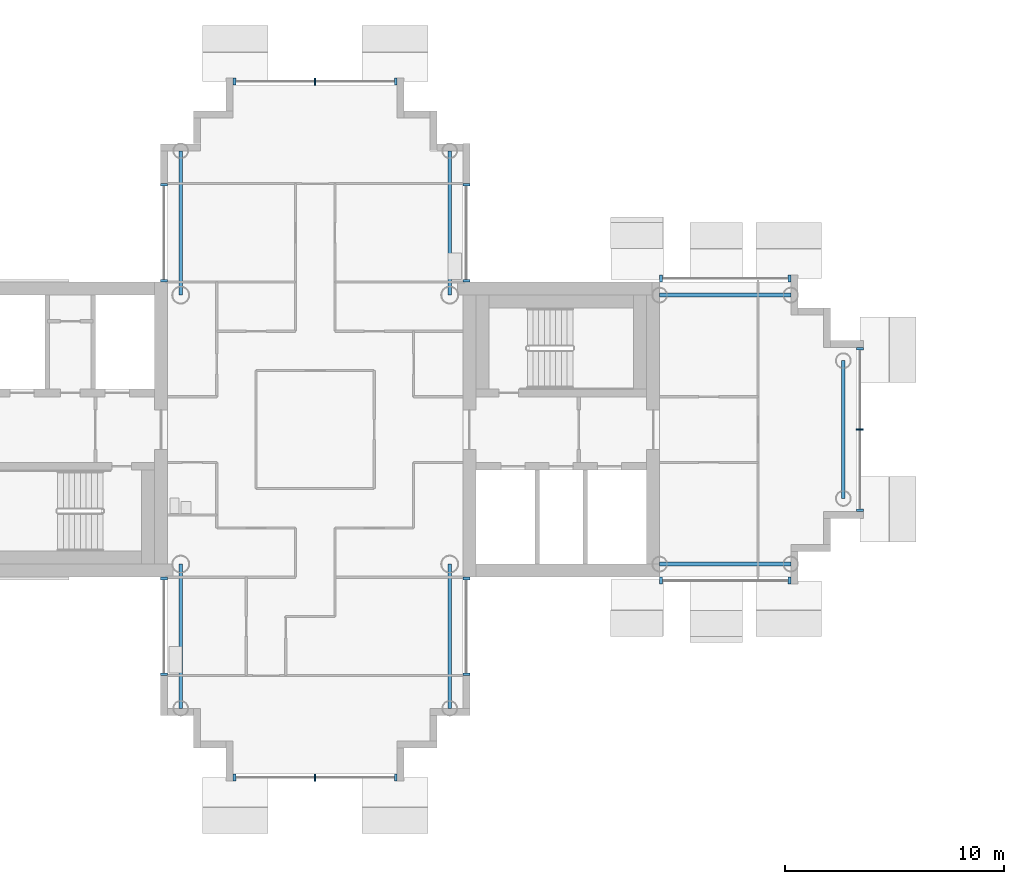
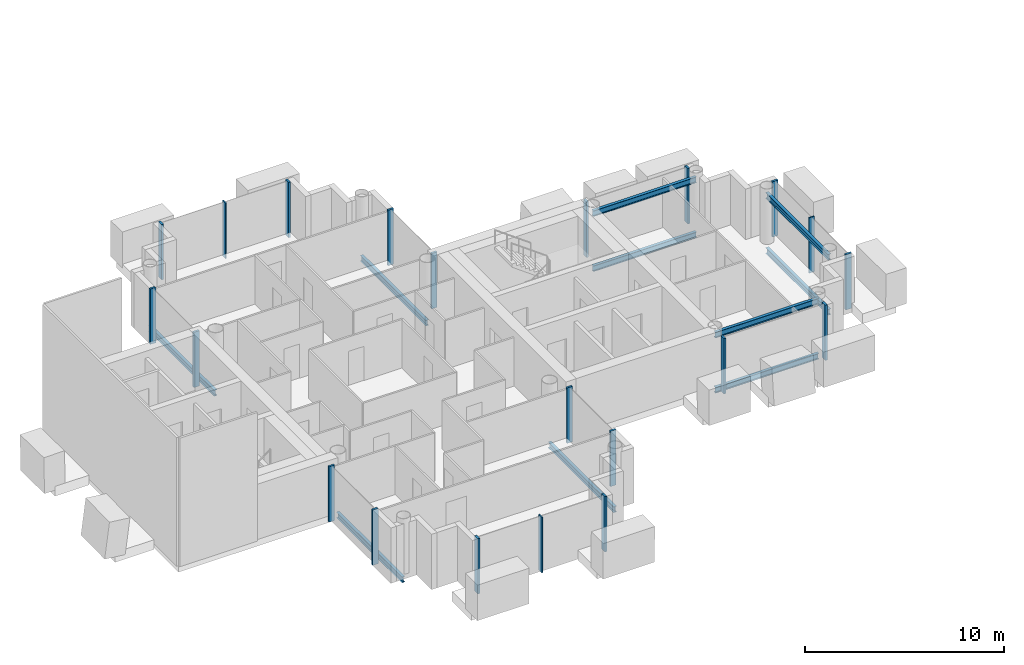
# One storey, part 3 of 18: 21 members, 10 beams, 9 elements without a shape of their own.
"""IFC4 building model written with IfcOpenShell, lengths in metres."""

from ifc_helpers import new_model, si_unit, direction, frame, origin, origin_2d, place, context, subcontext, project, spatial, rectangle, i_section, extrude, material, layer, layer_set, material_profile, profile_set, type_object, element, aggregate, save


model = new_model("IFC4")

# Units and contexts
model_context = context("Model", 3, precision=1e-05, world=origin(), true_north=direction((0.0, 1.0)))
body_context = subcontext(model_context, "Body", "Model", "MODEL_VIEW")
ifc_project = project(units=[si_unit("LENGTHUNIT", "METRE"), si_unit("AREAUNIT", "SQUARE_METRE"), si_unit("VOLUMEUNIT", "CUBIC_METRE"), si_unit("PLANEANGLEUNIT", "RADIAN"), si_unit("MASSUNIT", "GRAM", prefix="KILO")], contexts=[model_context])

# Site, building, storey
site_placement = place(None, origin())
site = spatial("IfcSite", under=ifc_project, at=site_placement, CompositionType="ELEMENT")
building_placement = place(site_placement, origin())
building = spatial("IfcBuilding", under=site, at=building_placement, Name="Ipe Terrace Towers", CompositionType="ELEMENT")
storey_placement = place(building_placement, frame((0.0, 0.0, 230.0)))
storey = spatial("IfcBuildingStorey", under=building, at=storey_placement, Name="L64", CompositionType="ELEMENT", Elevation=230.0)

# Beams
ifc_material_1 = material(Name="Steel S355", Category="steel")
ifc_material_profile_1 = material_profile(ifc_material_1, i_section(OverallWidth=0.175048828125, OverallDepth=0.35009765625, WebThickness=0.007080078125, FlangeThickness=0.010986328125, at=origin_2d()), Name="H-350x175x7x11")
ifc_profile_set_1 = profile_set([ifc_material_profile_1], Name="Steel S355")
beam_type_1 = type_object("IfcBeamType", Name="H04 DECK EDGE BEAM H-350x175x7x11", PredefinedType="BEAM", material=ifc_profile_set_1)
for number, where, z_axis, x_axis, name in (
    (1, (-20.25, -6.14990234375, 2.804931640625), (1.0, 0.0, 0.0), (0.0, 1.0, 0.0), "Deck edge beam T1-TB-A01-A03"),
    (2, (-20.25, 6.14990234375, 2.804931640625), (1.0, 0.0, 0.0), (0.0, 1.0, 0.0), "Deck edge beam T1-TB-A02-A04"),
):
    element("IfcBeam", number, at=place(storey_placement, frame(where, z_axis=z_axis, x_axis=x_axis)), inside=storey, type_object=beam_type_1, Name=name, PredefinedType="BEAM", context=body_context, shape_type="SweptSolid", body=[
        extrude(i_section(OverallWidth=0.175048828125, OverallDepth=0.35009765625, WebThickness=0.007080078125, FlangeThickness=0.010986328125, at=origin_2d()), origin(), (0.0, 0.0, 1.0), 6.0),
    ])
beam_1_placement = place(storey_placement, frame((-11.85009765625, -3.14990234375, 2.804931640625), z_axis=(0.0, 1.0, 0.0), x_axis=(-1.0, 0.0, 0.0)))
element("IfcBeam", 3, at=beam_1_placement, inside=storey, type_object=beam_type_1, Name="Deck edge beam T1-TB-A05-A06", PredefinedType="BEAM", context=body_context, shape_type="SweptSolid", body=[
    extrude(i_section(OverallWidth=0.175048828125, OverallDepth=0.35009765625, WebThickness=0.007080078125, FlangeThickness=0.010986328125, at=origin_2d()), origin(), (0.0, 0.0, 1.0), 6.2998046875),
])
ifc_material_2 = material(Name="Steel S355", Category="steel")
ifc_material_profile_2 = material_profile(ifc_material_2, i_section(OverallWidth=0.175048828125, OverallDepth=0.35009765625, WebThickness=0.007080078125, FlangeThickness=0.010986328125, at=origin_2d()), Name="H-350x175x7x11")
ifc_profile_set_2 = profile_set([ifc_material_profile_2], Name="Steel S355")
beam_type_2 = type_object("IfcBeamType", Name="H04 EDGE BEAM H-350x175x7x11", PredefinedType="BEAM", material=ifc_profile_set_2)
for number, where, z_axis, x_axis, name in (
    (4, (-20.25, -6.14990234375, -0.574951171875), (1.0, 0.0, 0.0), (0.0, 1.0, 0.0), "Edge beam T1-EB-A01-A03"),
    (5, (-20.25, 6.14990234375, -0.574951171875), (1.0, 0.0, 0.0), (0.0, 1.0, 0.0), "Edge beam T1-EB-A02-A04"),
):
    element("IfcBeam", number, at=place(storey_placement, frame(where, z_axis=z_axis, x_axis=x_axis)), inside=storey, type_object=beam_type_2, Name=name, PredefinedType="BEAM", context=body_context, shape_type="SweptSolid", body=[
        extrude(i_section(OverallWidth=0.175048828125, OverallDepth=0.35009765625, WebThickness=0.007080078125, FlangeThickness=0.010986328125, at=origin_2d()), origin(), (0.0, 0.0, 1.0), 6.0),
    ])
beam_2_placement = place(storey_placement, frame((-11.85009765625, -3.14990234375, -0.574951171875), z_axis=(0.0, 1.0, 0.0), x_axis=(-1.0, 0.0, 0.0)))
element("IfcBeam", 6, at=beam_2_placement, inside=storey, type_object=beam_type_2, Name="Edge beam T1-EB-A05-A06", PredefinedType="BEAM", context=body_context, shape_type="SweptSolid", body=[
    extrude(i_section(OverallWidth=0.175048828125, OverallDepth=0.35009765625, WebThickness=0.007080078125, FlangeThickness=0.010986328125, at=origin_2d()), origin(), (0.0, 0.0, 1.0), 6.2998046875),
])
for number, where, z_axis, x_axis, name in (
    (7, (-29.85009765625, 12.75, -0.574951171875), (0.0, -1.0, 0.0), (1.0, 0.0, 0.0), "Edge beam T1-EB-B01-E03"),
    (8, (-42.14990234375, 12.75, -0.574951171875), (0.0, -1.0, 0.0), (1.0, 0.0, 0.0), "Edge beam T1-EB-B02-E04"),
    (9, (-42.14990234375, -12.75, -0.574951171875), (0.0, 1.0, 0.0), (-1.0, 0.0, 0.0), "Edge beam T1-EB-D01-E01"),
    (10, (-29.85009765625, -12.75, -0.574951171875), (0.0, 1.0, 0.0), (-1.0, 0.0, 0.0), "Edge beam T1-EB-D02-E02"),
):
    element("IfcBeam", number, at=place(storey_placement, frame(where, z_axis=z_axis, x_axis=x_axis)), inside=storey, type_object=beam_type_2, Name=name, PredefinedType="BEAM", context=body_context, shape_type="SweptSolid", body=[
        extrude(i_section(OverallWidth=0.175048828125, OverallDepth=0.35009765625, WebThickness=0.007080078125, FlangeThickness=0.010986328125, at=origin_2d()), origin(), (0.0, 0.0, 1.0), 6.60009765625),
    ])

# Curtain wall, members
ifc_material_3 = material(Name="Aluminium alloy 6063-T6", Category="aluminium")
ifc_layer = layer(ifc_material_3, 0.320068359375)
ifc_layer_set = layer_set([ifc_layer], Name="TOWER UNITISED CURTAIN WALL")
curtain_wall_type = type_object("IfcCurtainWallType", Name="TOWER UNITISED CURTAIN WALL", PredefinedType="NOTDEFINED", material=ifc_layer_set)
curtain_wall_1_placement = place(storey_placement, origin())
curtain_wall_1 = element("IfcCurtainWall", 11, at=curtain_wall_1_placement, inside=storey, type_object=curtain_wall_type, Name="T1-CW-L64-02a curtain wall", PredefinedType="NOTDEFINED")
ifc_material_4 = material(Name="Aluminium alloy 6063-T6", Category="aluminium")
ifc_material_profile_3 = material_profile(ifc_material_4, rectangle(XDim=0.320068359375, YDim=0.1201171875, at=origin_2d()), Name="TOWER UNITISED CORNER MULLION 320 x 120")
ifc_profile_set_3 = profile_set([ifc_material_profile_3], Name="Aluminium alloy 6063-T6")
member_type_1 = type_object("IfcMemberType", Name="TOWER UNITISED CORNER MULLION 320 x 120", PredefinedType="MULLION", material=ifc_profile_set_3)
member_1_placement = place(storey_placement, frame((-42.909912109375, -6.81005859375, -0.300048828125), z_axis=(0.0, 0.0, 1.0), x_axis=(-1.0, 0.0, 0.0)))
member_1 = element("IfcMember", 12, at=member_1_placement, type_object=member_type_1, Name="T1-CW-L64-02a mullion 1", PredefinedType="MULLION", context=body_context, shape_type="SweptSolid", body=[
    extrude(rectangle(XDim=0.320068359375, YDim=0.1201171875, at=origin_2d()), origin(), (0.0, 0.0, 1.0), 3.400146484375),
])
member_2_placement = place(storey_placement, frame((-42.909912109375, -11.18994140625, -0.300048828125), z_axis=(0.0, 0.0, 1.0), x_axis=(-1.0, 0.0, 0.0)))
member_2 = element("IfcMember", 13, at=member_2_placement, type_object=member_type_1, Name="T1-CW-L64-02a mullion 2", PredefinedType="MULLION", context=body_context, shape_type="SweptSolid", body=[
    extrude(rectangle(XDim=0.320068359375, YDim=0.1201171875, at=origin_2d()), origin(), (0.0, 0.0, 1.0), 3.400146484375),
])
aggregate(curtain_wall_1, [member_1, member_2])

curtain_wall_2_placement = place(storey_placement, origin())
curtain_wall_2 = element("IfcCurtainWall", 14, at=curtain_wall_2_placement, inside=storey, type_object=curtain_wall_type, Name="T1-CW-L64-08a curtain wall", PredefinedType="NOTDEFINED")
member_3_placement = place(storey_placement, frame((-39.68994140625, -15.909912109375, -0.300048828125), z_axis=(0.0, 0.0, 1.0), x_axis=(0.0, -1.0, 0.0)))
member_3 = element("IfcMember", 15, at=member_3_placement, type_object=member_type_1, Name="T1-CW-L64-08a mullion 1", PredefinedType="MULLION", context=body_context, shape_type="SweptSolid", body=[
    extrude(rectangle(XDim=0.320068359375, YDim=0.1201171875, at=origin_2d()), origin(), (0.0, 0.0, 1.0), 3.400146484375),
])
member_4_placement = place(storey_placement, frame((-32.31005859375, -15.909912109375, -0.300048828125), z_axis=(0.0, 0.0, 1.0), x_axis=(0.0, -1.0, 0.0)))
member_4 = element("IfcMember", 16, at=member_4_placement, type_object=member_type_1, Name="T1-CW-L64-08a mullion 3", PredefinedType="MULLION", context=body_context, shape_type="SweptSolid", body=[
    extrude(rectangle(XDim=0.320068359375, YDim=0.1201171875, at=origin_2d()), origin(), (0.0, 0.0, 1.0), 3.400146484375),
])

curtain_wall_3_placement = place(storey_placement, origin())
curtain_wall_3 = element("IfcCurtainWall", 17, at=curtain_wall_3_placement, inside=storey, type_object=curtain_wall_type, Name="T1-CW-L64-14a curtain wall", PredefinedType="NOTDEFINED")
member_5_placement = place(storey_placement, frame((-29.090087890625, -11.18994140625, -0.300048828125), z_axis=(0.0, 0.0, 1.0), x_axis=(1.0, 0.0, 0.0)))
member_5 = element("IfcMember", 18, at=member_5_placement, type_object=member_type_1, Name="T1-CW-L64-14a mullion 1", PredefinedType="MULLION", context=body_context, shape_type="SweptSolid", body=[
    extrude(rectangle(XDim=0.320068359375, YDim=0.1201171875, at=origin_2d()), origin(), (0.0, 0.0, 1.0), 3.400146484375),
])
member_6_placement = place(storey_placement, frame((-29.090087890625, -6.81005859375, -0.300048828125), z_axis=(0.0, 0.0, 1.0), x_axis=(1.0, 0.0, 0.0)))
member_6 = element("IfcMember", 19, at=member_6_placement, type_object=member_type_1, Name="T1-CW-L64-14a mullion 2", PredefinedType="MULLION", context=body_context, shape_type="SweptSolid", body=[
    extrude(rectangle(XDim=0.320068359375, YDim=0.1201171875, at=origin_2d()), origin(), (0.0, 0.0, 1.0), 3.400146484375),
])
aggregate(curtain_wall_3, [member_5, member_6])

curtain_wall_4_placement = place(storey_placement, origin())
curtain_wall_4 = element("IfcCurtainWall", 20, at=curtain_wall_4_placement, inside=storey, type_object=curtain_wall_type, Name="T1-CW-L64-16b curtain wall", PredefinedType="NOTDEFINED")
member_7_placement = place(storey_placement, frame((-20.18896484375, -6.909912109375, -0.300048828125), z_axis=(0.0, 0.0, 1.0), x_axis=(0.0, -1.0, 0.0)))
member_7 = element("IfcMember", 21, at=member_7_placement, type_object=member_type_1, Name="T1-CW-L64-16b mullion 1", PredefinedType="MULLION", context=body_context, shape_type="SweptSolid", body=[
    extrude(rectangle(XDim=0.320068359375, YDim=0.1201171875, at=origin_2d()), origin(), (0.0, 0.0, 1.0), 3.400146484375),
])
member_8_placement = place(storey_placement, frame((-14.31005859375, -6.909912109375, -0.300048828125), z_axis=(0.0, 0.0, 1.0), x_axis=(0.0, -1.0, 0.0)))
member_8 = element("IfcMember", 22, at=member_8_placement, type_object=member_type_1, Name="T1-CW-L64-16b mullion 2", PredefinedType="MULLION", context=body_context, shape_type="SweptSolid", body=[
    extrude(rectangle(XDim=0.320068359375, YDim=0.1201171875, at=origin_2d()), origin(), (0.0, 0.0, 1.0), 3.400146484375),
])
aggregate(curtain_wall_4, [member_7, member_8])

curtain_wall_5_placement = place(storey_placement, origin())
curtain_wall_5 = element("IfcCurtainWall", 23, at=curtain_wall_5_placement, inside=storey, type_object=curtain_wall_type, Name="T1-CW-L64-21a curtain wall", PredefinedType="NOTDEFINED")
member_9_placement = place(storey_placement, frame((-11.090087890625, -3.68994140625, -0.300048828125), z_axis=(0.0, 0.0, 1.0), x_axis=(1.0, 0.0, 0.0)))
member_9 = element("IfcMember", 24, at=member_9_placement, type_object=member_type_1, Name="T1-CW-L64-21a mullion 1", PredefinedType="MULLION", context=body_context, shape_type="SweptSolid", body=[
    extrude(rectangle(XDim=0.320068359375, YDim=0.1201171875, at=origin_2d()), origin(), (0.0, 0.0, 1.0), 3.400146484375),
])
member_10_placement = place(storey_placement, frame((-11.090087890625, 3.68994140625, -0.300048828125), z_axis=(0.0, 0.0, 1.0), x_axis=(1.0, 0.0, 0.0)))
member_10 = element("IfcMember", 25, at=member_10_placement, type_object=member_type_1, Name="T1-CW-L64-21a mullion 3", PredefinedType="MULLION", context=body_context, shape_type="SweptSolid", body=[
    extrude(rectangle(XDim=0.320068359375, YDim=0.1201171875, at=origin_2d()), origin(), (0.0, 0.0, 1.0), 3.400146484375),
])

curtain_wall_6_placement = place(storey_placement, origin())
curtain_wall_6 = element("IfcCurtainWall", 26, at=curtain_wall_6_placement, inside=storey, type_object=curtain_wall_type, Name="T1-CW-L64-26a curtain wall", PredefinedType="NOTDEFINED")
member_11_placement = place(storey_placement, frame((-14.31005859375, 6.909912109375, -0.300048828125), z_axis=(0.0, 0.0, 1.0), x_axis=(0.0, 1.0, 0.0)))
member_11 = element("IfcMember", 27, at=member_11_placement, type_object=member_type_1, Name="T1-CW-L64-26a mullion 1", PredefinedType="MULLION", context=body_context, shape_type="SweptSolid", body=[
    extrude(rectangle(XDim=0.320068359375, YDim=0.1201171875, at=origin_2d()), origin(), (0.0, 0.0, 1.0), 3.400146484375),
])
member_12_placement = place(storey_placement, frame((-20.18896484375, 6.909912109375, -0.300048828125), z_axis=(0.0, 0.0, 1.0), x_axis=(0.0, 1.0, 0.0)))
member_12 = element("IfcMember", 28, at=member_12_placement, type_object=member_type_1, Name="T1-CW-L64-26a mullion 2", PredefinedType="MULLION", context=body_context, shape_type="SweptSolid", body=[
    extrude(rectangle(XDim=0.320068359375, YDim=0.1201171875, at=origin_2d()), origin(), (0.0, 0.0, 1.0), 3.400146484375),
])
aggregate(curtain_wall_6, [member_11, member_12])

curtain_wall_7_placement = place(storey_placement, origin())
curtain_wall_7 = element("IfcCurtainWall", 29, at=curtain_wall_7_placement, inside=storey, type_object=curtain_wall_type, Name="T1-CW-L64-28a curtain wall", PredefinedType="NOTDEFINED")
member_13_placement = place(storey_placement, frame((-29.090087890625, 6.81005859375, -0.300048828125), z_axis=(0.0, 0.0, 1.0), x_axis=(1.0, 0.0, 0.0)))
member_13 = element("IfcMember", 30, at=member_13_placement, type_object=member_type_1, Name="T1-CW-L64-28a mullion 1", PredefinedType="MULLION", context=body_context, shape_type="SweptSolid", body=[
    extrude(rectangle(XDim=0.320068359375, YDim=0.1201171875, at=origin_2d()), origin(), (0.0, 0.0, 1.0), 3.400146484375),
])
member_14_placement = place(storey_placement, frame((-29.090087890625, 11.18994140625, -0.300048828125), z_axis=(0.0, 0.0, 1.0), x_axis=(1.0, 0.0, 0.0)))
member_14 = element("IfcMember", 31, at=member_14_placement, type_object=member_type_1, Name="T1-CW-L64-28a mullion 2", PredefinedType="MULLION", context=body_context, shape_type="SweptSolid", body=[
    extrude(rectangle(XDim=0.320068359375, YDim=0.1201171875, at=origin_2d()), origin(), (0.0, 0.0, 1.0), 3.400146484375),
])
aggregate(curtain_wall_7, [member_13, member_14])

curtain_wall_8_placement = place(storey_placement, origin())
curtain_wall_8 = element("IfcCurtainWall", 32, at=curtain_wall_8_placement, inside=storey, type_object=curtain_wall_type, Name="T1-CW-L64-34a curtain wall", PredefinedType="NOTDEFINED")
member_15_placement = place(storey_placement, frame((-32.31005859375, 15.909912109375, -0.300048828125), z_axis=(0.0, 0.0, 1.0), x_axis=(0.0, 1.0, 0.0)))
member_15 = element("IfcMember", 33, at=member_15_placement, type_object=member_type_1, Name="T1-CW-L64-34a mullion 1", PredefinedType="MULLION", context=body_context, shape_type="SweptSolid", body=[
    extrude(rectangle(XDim=0.320068359375, YDim=0.1201171875, at=origin_2d()), origin(), (0.0, 0.0, 1.0), 3.400146484375),
])
member_16_placement = place(storey_placement, frame((-39.68994140625, 15.909912109375, -0.300048828125), z_axis=(0.0, 0.0, 1.0), x_axis=(0.0, 1.0, 0.0)))
member_16 = element("IfcMember", 34, at=member_16_placement, type_object=member_type_1, Name="T1-CW-L64-34a mullion 3", PredefinedType="MULLION", context=body_context, shape_type="SweptSolid", body=[
    extrude(rectangle(XDim=0.320068359375, YDim=0.1201171875, at=origin_2d()), origin(), (0.0, 0.0, 1.0), 3.400146484375),
])

curtain_wall_9_placement = place(storey_placement, origin())
curtain_wall_9 = element("IfcCurtainWall", 35, at=curtain_wall_9_placement, inside=storey, type_object=curtain_wall_type, Name="T1-CW-L64-40a curtain wall", PredefinedType="NOTDEFINED")
member_17_placement = place(storey_placement, frame((-42.909912109375, 11.18994140625, -0.300048828125), z_axis=(0.0, 0.0, 1.0), x_axis=(-1.0, 0.0, 0.0)))
member_17 = element("IfcMember", 36, at=member_17_placement, type_object=member_type_1, Name="T1-CW-L64-40a mullion 1", PredefinedType="MULLION", context=body_context, shape_type="SweptSolid", body=[
    extrude(rectangle(XDim=0.320068359375, YDim=0.1201171875, at=origin_2d()), origin(), (0.0, 0.0, 1.0), 3.400146484375),
])
member_18_placement = place(storey_placement, frame((-42.909912109375, 6.81005859375, -0.300048828125), z_axis=(0.0, 0.0, 1.0), x_axis=(-1.0, 0.0, 0.0)))
member_18 = element("IfcMember", 37, at=member_18_placement, type_object=member_type_1, Name="T1-CW-L64-40a mullion 2", PredefinedType="MULLION", context=body_context, shape_type="SweptSolid", body=[
    extrude(rectangle(XDim=0.320068359375, YDim=0.1201171875, at=origin_2d()), origin(), (0.0, 0.0, 1.0), 3.400146484375),
])
aggregate(curtain_wall_9, [member_17, member_18])

# Member
ifc_material_5 = material(Name="Aluminium alloy 6063-T6", Category="aluminium")
ifc_material_profile_4 = material_profile(ifc_material_5, rectangle(XDim=0.320068359375, YDim=0.06494140625, at=origin_2d()), Name="TOWER UNITISED MULLION 320 x 65")
ifc_profile_set_4 = profile_set([ifc_material_profile_4], Name="Aluminium alloy 6063-T6")
member_type_2 = type_object("IfcMemberType", Name="TOWER UNITISED MULLION 320 x 65", PredefinedType="MULLION", material=ifc_profile_set_4)
member_19_placement = place(storey_placement, frame((-36.0, -15.909912109375, -0.300048828125), z_axis=(0.0, 0.0, 1.0), x_axis=(0.0, -1.0, 0.0)))
member_19 = element("IfcMember", 38, at=member_19_placement, type_object=member_type_2, Name="T1-CW-L64-08a mullion 2", PredefinedType="MULLION", context=body_context, shape_type="SweptSolid", body=[
    extrude(rectangle(XDim=0.320068359375, YDim=0.06494140625, at=origin_2d()), origin(), (0.0, 0.0, 1.0), 3.400146484375),
])

aggregate(curtain_wall_2, [member_3, member_19, member_4])

member_20_placement = place(storey_placement, frame((-11.090087890625, 0.0, -0.300048828125), z_axis=(0.0, 0.0, 1.0), x_axis=(1.0, 0.0, 0.0)))
member_20 = element("IfcMember", 39, at=member_20_placement, type_object=member_type_2, Name="T1-CW-L64-21a mullion 2", PredefinedType="MULLION", context=body_context, shape_type="SweptSolid", body=[
    extrude(rectangle(XDim=0.320068359375, YDim=0.06494140625, at=origin_2d()), origin(), (0.0, 0.0, 1.0), 3.400146484375),
])

aggregate(curtain_wall_5, [member_9, member_20, member_10])

member_21_placement = place(storey_placement, frame((-36.0, 15.909912109375, -0.300048828125), z_axis=(0.0, 0.0, 1.0), x_axis=(0.0, 1.0, 0.0)))
member_21 = element("IfcMember", 40, at=member_21_placement, type_object=member_type_2, Name="T1-CW-L64-34a mullion 2", PredefinedType="MULLION", context=body_context, shape_type="SweptSolid", body=[
    extrude(rectangle(XDim=0.320068359375, YDim=0.06494140625, at=origin_2d()), origin(), (0.0, 0.0, 1.0), 3.400146484375),
])

aggregate(curtain_wall_8, [member_15, member_21, member_16])

save(model, "model.ifc")
